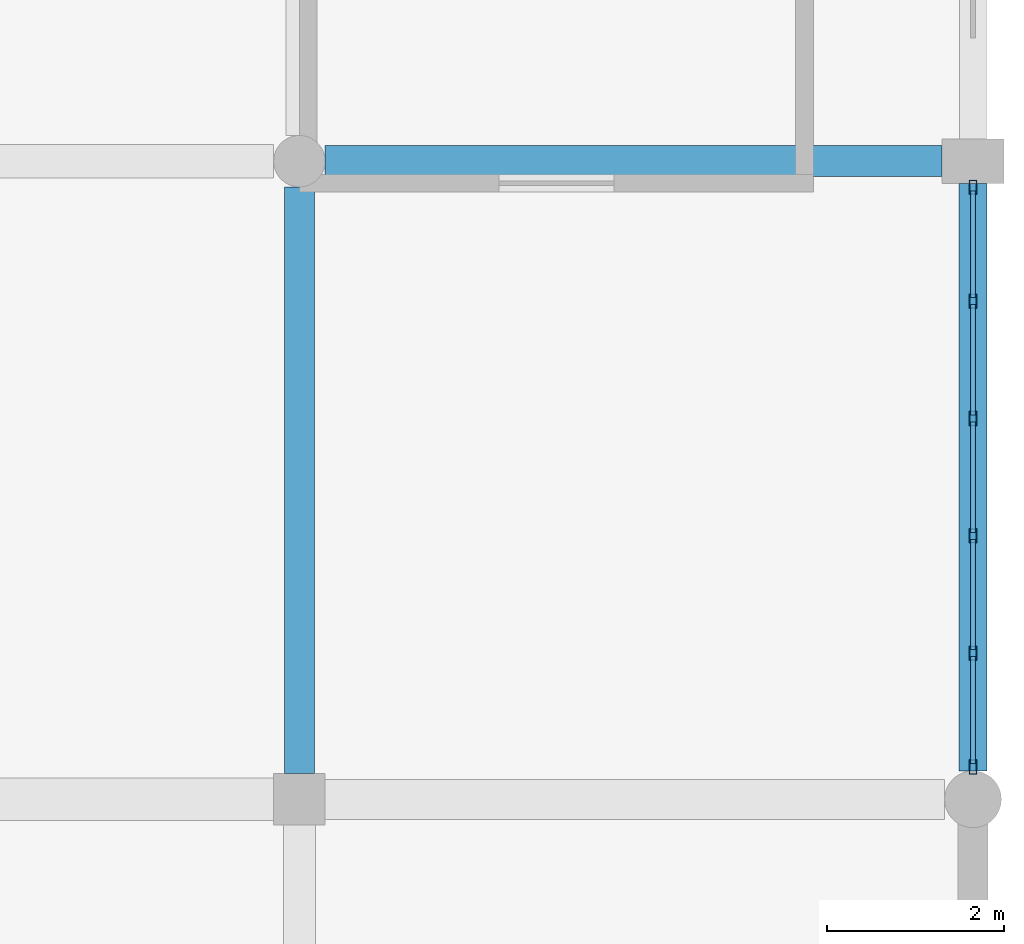
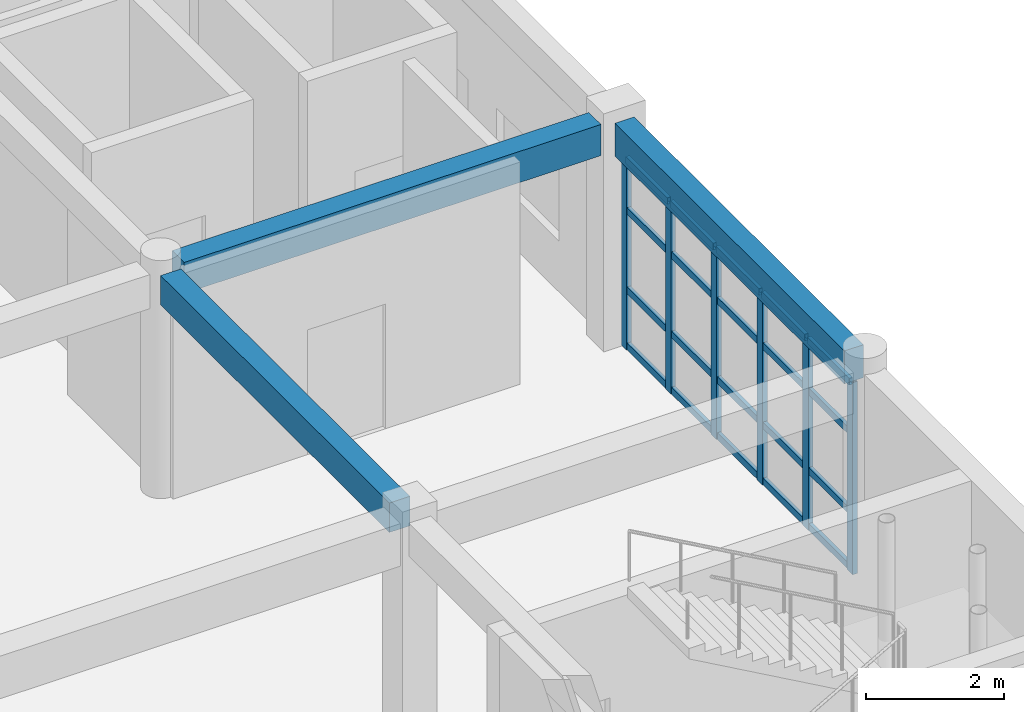
# One storey, part 28 of 53: 26 members, 3 beams, 1 element without a shape of its own.
"""IFC4 building model written with IfcOpenShell, lengths in metres."""

from ifc_helpers import new_model, si_unit, direction, frame, origin, origin_2d, place, context, subcontext, project, spatial, rectangle, hollow_rectangle, extrude, material, material_profile, profile_set, type_object, element, aggregate, save


model = new_model("IFC4")

# Units and contexts
model_context = context("Model", 3, precision=1e-05, world=origin(), true_north=direction((0.0, 1.0)))
body_context = subcontext(model_context, "Body", "Model", "MODEL_VIEW")
ifc_project = project(units=[si_unit("LENGTHUNIT", "METRE"), si_unit("AREAUNIT", "SQUARE_METRE"), si_unit("VOLUMEUNIT", "CUBIC_METRE"), si_unit("PLANEANGLEUNIT", "RADIAN"), si_unit("MASSUNIT", "GRAM", prefix="KILO")], contexts=[model_context])

# Site, building, storey
site_placement = place(None, origin())
site = spatial("IfcSite", under=ifc_project, at=site_placement, CompositionType="ELEMENT")
building_placement = place(site_placement, origin())
building = spatial("IfcBuilding", under=site, at=building_placement, Name="Kharva Crest Polytechnic", CompositionType="ELEMENT")
storey_placement = place(building_placement, frame((0.0, 0.0, 17.39990234375)))
storey = spatial("IfcBuildingStorey", under=building, at=storey_placement, Name="L04", CompositionType="ELEMENT", Elevation=17.39990234375)

# Beams
ifc_material_1 = material(Name="Concrete C35/45", Category="concrete")
ifc_material_profile_1 = material_profile(ifc_material_1, rectangle(XDim=0.340087890625, YDim=0.52001953125, at=origin_2d()), Name="RECT 340 X 520")
ifc_profile_set_1 = profile_set([ifc_material_profile_1], Name="Concrete C35/45")
beam_type_1 = type_object("IfcBeamType", Name="BM-RC-340X520", PredefinedType="BEAM", material=ifc_profile_set_1)
beam_1_placement = place(storey_placement, frame((176.39990234375, 79.090087890625, 3.710205078125), z_axis=(0.0, 1.0, 0.0), x_axis=(-1.0, 0.0, 0.0)))
element("IfcBeam", 1, at=beam_1_placement, inside=storey, type_object=beam_type_1, Name="L04 Girder 23/L-M", PredefinedType="BEAM", context=body_context, shape_type="SweptSolid", body=[
    extrude(rectangle(XDim=0.340087890625, YDim=0.52001953125, at=origin_2d()), origin(), (0.0, 0.0, 1.0), 6.619873046875),
])
ifc_material_profile_2 = material_profile(ifc_material_1, rectangle(XDim=0.35009765625, YDim=0.550048828125, at=origin_2d()), Name="RECT 350 X 550")
ifc_profile_set_2 = profile_set([ifc_material_profile_2], Name="Concrete C35/45")
beam_type_2 = type_object("IfcBeamType", Name="BM-RC-350X550", PredefinedType="BEAM", material=ifc_profile_set_2)
beam_2_placement = place(storey_placement, frame((176.68994140625, 86.0, 3.695068359375), z_axis=(1.0, 0.0, 0.0), x_axis=(0.0, 1.0, 0.0)))
element("IfcBeam", 2, at=beam_2_placement, inside=storey, type_object=beam_type_2, Name="L04 Beam M/23-24", PredefinedType="BEAM", context=body_context, shape_type="SweptSolid", body=[
    extrude(rectangle(XDim=0.35009765625, YDim=0.550048828125, at=origin_2d()), origin(), (0.0, 0.0, 1.0), 6.9599609375),
])

# Curtain wall, members
ifc_material_2 = material(Name="Tempered insulated glass", Category="glass")
curtain_wall_type = type_object("IfcCurtainWallType", Name="CW-SYS-STUDIO", PredefinedType="USERDEFINED", material=ifc_material_2)
curtain_wall_placement = place(storey_placement, origin())
curtain_wall = element("IfcCurtainWall", 3, at=curtain_wall_placement, inside=storey, type_object=curtain_wall_type, Name="L04 Glazed Curtain Wall CW-188", ObjectType="CURTAIN WALL", PredefinedType="USERDEFINED")
ifc_material_3 = material(Name="Steel S355", Category="steel")
ifc_material_profile_3 = material_profile(ifc_material_3, hollow_rectangle(XDim=0.080078125, YDim=0.159912109375, WallThickness=0.0048828125, at=origin_2d()), Name="RHS 160X80X5.0")
ifc_profile_set_3 = profile_set([ifc_material_profile_3], Name="Steel S355")
member_type_1 = type_object("IfcMemberType", Name="CWM-RHS160X80", PredefinedType="MULLION", material=ifc_profile_set_3)
member_1_placement = place(storey_placement, frame((184.0, 79.1650390625, 0.0), z_axis=(0.0, 0.0, 1.0), x_axis=(-1.0, 0.0, 0.0)))
member_1 = element("IfcMember", 4, at=member_1_placement, type_object=member_type_1, Name="CW-188 mullion 1", PredefinedType="MULLION", context=body_context, shape_type="SweptSolid", body=[
    extrude(hollow_rectangle(XDim=0.080078125, YDim=0.159912109375, WallThickness=0.0048828125, at=origin_2d()), origin(), (0.0, 0.0, 1.0), 3.39013671875),
])
member_2_placement = place(storey_placement, frame((184.0, 80.448974609375, 0.0), z_axis=(0.0, 0.0, 1.0), x_axis=(-1.0, 0.0, 0.0)))
member_2 = element("IfcMember", 5, at=member_2_placement, type_object=member_type_1, Name="CW-188 mullion 2", PredefinedType="MULLION", context=body_context, shape_type="SweptSolid", body=[
    extrude(hollow_rectangle(XDim=0.080078125, YDim=0.159912109375, WallThickness=0.0048828125, at=origin_2d()), origin(), (0.0, 0.0, 1.0), 3.39013671875),
])
member_3_placement = place(storey_placement, frame((184.0, 81.77294921875, 0.0), z_axis=(0.0, 0.0, 1.0), x_axis=(-1.0, 0.0, 0.0)))
member_3 = element("IfcMember", 6, at=member_3_placement, type_object=member_type_1, Name="CW-188 mullion 3", PredefinedType="MULLION", context=body_context, shape_type="SweptSolid", body=[
    extrude(hollow_rectangle(XDim=0.080078125, YDim=0.159912109375, WallThickness=0.0048828125, at=origin_2d()), origin(), (0.0, 0.0, 1.0), 3.39013671875),
])
member_4_placement = place(storey_placement, frame((184.0, 83.096923828125, 0.0), z_axis=(0.0, 0.0, 1.0), x_axis=(-1.0, 0.0, 0.0)))
member_4 = element("IfcMember", 7, at=member_4_placement, type_object=member_type_1, Name="CW-188 mullion 4", PredefinedType="MULLION", context=body_context, shape_type="SweptSolid", body=[
    extrude(hollow_rectangle(XDim=0.080078125, YDim=0.159912109375, WallThickness=0.0048828125, at=origin_2d()), origin(), (0.0, 0.0, 1.0), 3.39013671875),
])
member_5_placement = place(storey_placement, frame((184.0, 84.4208984375, 0.0), z_axis=(0.0, 0.0, 1.0), x_axis=(-1.0, 0.0, 0.0)))
member_5 = element("IfcMember", 8, at=member_5_placement, type_object=member_type_1, Name="CW-188 mullion 5", PredefinedType="MULLION", context=body_context, shape_type="SweptSolid", body=[
    extrude(hollow_rectangle(XDim=0.080078125, YDim=0.159912109375, WallThickness=0.0048828125, at=origin_2d()), origin(), (0.0, 0.0, 1.0), 3.39013671875),
])
member_6_placement = place(storey_placement, frame((184.0, 85.705078125, 0.0), z_axis=(0.0, 0.0, 1.0), x_axis=(-1.0, 0.0, 0.0)))
member_6 = element("IfcMember", 9, at=member_6_placement, type_object=member_type_1, Name="CW-188 mullion 6", PredefinedType="MULLION", context=body_context, shape_type="SweptSolid", body=[
    extrude(hollow_rectangle(XDim=0.080078125, YDim=0.159912109375, WallThickness=0.0048828125, at=origin_2d()), origin(), (0.0, 0.0, 1.0), 3.39013671875),
])
ifc_material_profile_4 = material_profile(ifc_material_3, hollow_rectangle(XDim=0.06005859375, YDim=0.1201171875, WallThickness=0.00390625, at=origin_2d()), Name="RHS 120X60X4.0")
ifc_profile_set_4 = profile_set([ifc_material_profile_4], Name="Steel S355")
member_type_2 = type_object("IfcMemberType", Name="CWT-RHS120X60", PredefinedType="USERDEFINED", material=ifc_profile_set_4)
member_7_placement = place(storey_placement, frame((184.0, 79.205078125, 0.06005859375), z_axis=(0.0, 1.0, 0.0), x_axis=(-1.0, 0.0, 0.0)))
member_7 = element("IfcMember", 10, at=member_7_placement, type_object=member_type_2, Name="CW-188 transom 1.1", ObjectType="TRANSOM", PredefinedType="USERDEFINED", context=body_context, shape_type="SweptSolid", body=[
    extrude(hollow_rectangle(XDim=0.06005859375, YDim=0.1201171875, WallThickness=0.00390625, at=origin_2d()), origin(), (0.0, 0.0, 1.0), 1.203857421875),
])
member_8_placement = place(storey_placement, frame((184.0, 79.205078125, 1.050048828125), z_axis=(0.0, 1.0, 0.0), x_axis=(-1.0, 0.0, 0.0)))
member_8 = element("IfcMember", 11, at=member_8_placement, type_object=member_type_2, Name="CW-188 transom 1.2", ObjectType="TRANSOM", PredefinedType="USERDEFINED", context=body_context, shape_type="SweptSolid", body=[
    extrude(hollow_rectangle(XDim=0.06005859375, YDim=0.1201171875, WallThickness=0.00390625, at=origin_2d()), origin(), (0.0, 0.0, 1.0), 1.203857421875),
])
member_9_placement = place(storey_placement, frame((184.0, 79.205078125, 2.4501953125), z_axis=(0.0, 1.0, 0.0), x_axis=(-1.0, 0.0, 0.0)))
member_9 = element("IfcMember", 12, at=member_9_placement, type_object=member_type_2, Name="CW-188 transom 1.3", ObjectType="TRANSOM", PredefinedType="USERDEFINED", context=body_context, shape_type="SweptSolid", body=[
    extrude(hollow_rectangle(XDim=0.06005859375, YDim=0.1201171875, WallThickness=0.00390625, at=origin_2d()), origin(), (0.0, 0.0, 1.0), 1.203857421875),
])
member_10_placement = place(storey_placement, frame((184.0, 79.205078125, 3.330078125), z_axis=(0.0, 1.0, 0.0), x_axis=(-1.0, 0.0, 0.0)))
member_10 = element("IfcMember", 13, at=member_10_placement, type_object=member_type_2, Name="CW-188 transom 1.4", ObjectType="TRANSOM", PredefinedType="USERDEFINED", context=body_context, shape_type="SweptSolid", body=[
    extrude(hollow_rectangle(XDim=0.06005859375, YDim=0.1201171875, WallThickness=0.00390625, at=origin_2d()), origin(), (0.0, 0.0, 1.0), 1.203857421875),
])
member_11_placement = place(storey_placement, frame((184.0, 80.489013671875, 0.06005859375), z_axis=(0.0, 1.0, 0.0), x_axis=(-1.0, 0.0, 0.0)))
member_11 = element("IfcMember", 14, at=member_11_placement, type_object=member_type_2, Name="CW-188 transom 2.1", ObjectType="TRANSOM", PredefinedType="USERDEFINED", context=body_context, shape_type="SweptSolid", body=[
    extrude(hollow_rectangle(XDim=0.06005859375, YDim=0.1201171875, WallThickness=0.00390625, at=origin_2d()), origin(), (0.0, 0.0, 1.0), 1.243896484375),
])
member_12_placement = place(storey_placement, frame((184.0, 80.489013671875, 1.050048828125), z_axis=(0.0, 1.0, 0.0), x_axis=(-1.0, 0.0, 0.0)))
member_12 = element("IfcMember", 15, at=member_12_placement, type_object=member_type_2, Name="CW-188 transom 2.2", ObjectType="TRANSOM", PredefinedType="USERDEFINED", context=body_context, shape_type="SweptSolid", body=[
    extrude(hollow_rectangle(XDim=0.06005859375, YDim=0.1201171875, WallThickness=0.00390625, at=origin_2d()), origin(), (0.0, 0.0, 1.0), 1.243896484375),
])
member_13_placement = place(storey_placement, frame((184.0, 80.489013671875, 2.4501953125), z_axis=(0.0, 1.0, 0.0), x_axis=(-1.0, 0.0, 0.0)))
member_13 = element("IfcMember", 16, at=member_13_placement, type_object=member_type_2, Name="CW-188 transom 2.3", ObjectType="TRANSOM", PredefinedType="USERDEFINED", context=body_context, shape_type="SweptSolid", body=[
    extrude(hollow_rectangle(XDim=0.06005859375, YDim=0.1201171875, WallThickness=0.00390625, at=origin_2d()), origin(), (0.0, 0.0, 1.0), 1.243896484375),
])
member_14_placement = place(storey_placement, frame((184.0, 80.489013671875, 3.330078125), z_axis=(0.0, 1.0, 0.0), x_axis=(-1.0, 0.0, 0.0)))
member_14 = element("IfcMember", 17, at=member_14_placement, type_object=member_type_2, Name="CW-188 transom 2.4", ObjectType="TRANSOM", PredefinedType="USERDEFINED", context=body_context, shape_type="SweptSolid", body=[
    extrude(hollow_rectangle(XDim=0.06005859375, YDim=0.1201171875, WallThickness=0.00390625, at=origin_2d()), origin(), (0.0, 0.0, 1.0), 1.243896484375),
])
member_15_placement = place(storey_placement, frame((184.0, 81.81298828125, 0.06005859375), z_axis=(0.0, 1.0, 0.0), x_axis=(-1.0, 0.0, 0.0)))
member_15 = element("IfcMember", 18, at=member_15_placement, type_object=member_type_2, Name="CW-188 transom 3.1", ObjectType="TRANSOM", PredefinedType="USERDEFINED", context=body_context, shape_type="SweptSolid", body=[
    extrude(hollow_rectangle(XDim=0.06005859375, YDim=0.1201171875, WallThickness=0.00390625, at=origin_2d()), origin(), (0.0, 0.0, 1.0), 1.243896484375),
])
member_16_placement = place(storey_placement, frame((184.0, 81.81298828125, 1.050048828125), z_axis=(0.0, 1.0, 0.0), x_axis=(-1.0, 0.0, 0.0)))
member_16 = element("IfcMember", 19, at=member_16_placement, type_object=member_type_2, Name="CW-188 transom 3.2", ObjectType="TRANSOM", PredefinedType="USERDEFINED", context=body_context, shape_type="SweptSolid", body=[
    extrude(hollow_rectangle(XDim=0.06005859375, YDim=0.1201171875, WallThickness=0.00390625, at=origin_2d()), origin(), (0.0, 0.0, 1.0), 1.243896484375),
])
member_17_placement = place(storey_placement, frame((184.0, 81.81298828125, 2.4501953125), z_axis=(0.0, 1.0, 0.0), x_axis=(-1.0, 0.0, 0.0)))
member_17 = element("IfcMember", 20, at=member_17_placement, type_object=member_type_2, Name="CW-188 transom 3.3", ObjectType="TRANSOM", PredefinedType="USERDEFINED", context=body_context, shape_type="SweptSolid", body=[
    extrude(hollow_rectangle(XDim=0.06005859375, YDim=0.1201171875, WallThickness=0.00390625, at=origin_2d()), origin(), (0.0, 0.0, 1.0), 1.243896484375),
])
member_18_placement = place(storey_placement, frame((184.0, 81.81298828125, 3.330078125), z_axis=(0.0, 1.0, 0.0), x_axis=(-1.0, 0.0, 0.0)))
member_18 = element("IfcMember", 21, at=member_18_placement, type_object=member_type_2, Name="CW-188 transom 3.4", ObjectType="TRANSOM", PredefinedType="USERDEFINED", context=body_context, shape_type="SweptSolid", body=[
    extrude(hollow_rectangle(XDim=0.06005859375, YDim=0.1201171875, WallThickness=0.00390625, at=origin_2d()), origin(), (0.0, 0.0, 1.0), 1.243896484375),
])
member_19_placement = place(storey_placement, frame((184.0, 83.136962890625, 0.06005859375), z_axis=(0.0, 1.0, 0.0), x_axis=(-1.0, 0.0, 0.0)))
member_19 = element("IfcMember", 22, at=member_19_placement, type_object=member_type_2, Name="CW-188 transom 4.1", ObjectType="TRANSOM", PredefinedType="USERDEFINED", context=body_context, shape_type="SweptSolid", body=[
    extrude(hollow_rectangle(XDim=0.06005859375, YDim=0.1201171875, WallThickness=0.00390625, at=origin_2d()), origin(), (0.0, 0.0, 1.0), 1.244140625),
])
member_20_placement = place(storey_placement, frame((184.0, 83.136962890625, 1.050048828125), z_axis=(0.0, 1.0, 0.0), x_axis=(-1.0, 0.0, 0.0)))
member_20 = element("IfcMember", 23, at=member_20_placement, type_object=member_type_2, Name="CW-188 transom 4.2", ObjectType="TRANSOM", PredefinedType="USERDEFINED", context=body_context, shape_type="SweptSolid", body=[
    extrude(hollow_rectangle(XDim=0.06005859375, YDim=0.1201171875, WallThickness=0.00390625, at=origin_2d()), origin(), (0.0, 0.0, 1.0), 1.244140625),
])
member_21_placement = place(storey_placement, frame((184.0, 83.136962890625, 2.4501953125), z_axis=(0.0, 1.0, 0.0), x_axis=(-1.0, 0.0, 0.0)))
member_21 = element("IfcMember", 24, at=member_21_placement, type_object=member_type_2, Name="CW-188 transom 4.3", ObjectType="TRANSOM", PredefinedType="USERDEFINED", context=body_context, shape_type="SweptSolid", body=[
    extrude(hollow_rectangle(XDim=0.06005859375, YDim=0.1201171875, WallThickness=0.00390625, at=origin_2d()), origin(), (0.0, 0.0, 1.0), 1.244140625),
])
member_22_placement = place(storey_placement, frame((184.0, 83.136962890625, 3.330078125), z_axis=(0.0, 1.0, 0.0), x_axis=(-1.0, 0.0, 0.0)))
member_22 = element("IfcMember", 25, at=member_22_placement, type_object=member_type_2, Name="CW-188 transom 4.4", ObjectType="TRANSOM", PredefinedType="USERDEFINED", context=body_context, shape_type="SweptSolid", body=[
    extrude(hollow_rectangle(XDim=0.06005859375, YDim=0.1201171875, WallThickness=0.00390625, at=origin_2d()), origin(), (0.0, 0.0, 1.0), 1.244140625),
])
member_23_placement = place(storey_placement, frame((184.0, 84.4609375, 0.06005859375), z_axis=(0.0, 1.0, 0.0), x_axis=(-1.0, 0.0, 0.0)))
member_23 = element("IfcMember", 26, at=member_23_placement, type_object=member_type_2, Name="CW-188 transom 5.1", ObjectType="TRANSOM", PredefinedType="USERDEFINED", context=body_context, shape_type="SweptSolid", body=[
    extrude(hollow_rectangle(XDim=0.06005859375, YDim=0.1201171875, WallThickness=0.00390625, at=origin_2d()), origin(), (0.0, 0.0, 1.0), 1.2041015625),
])
member_24_placement = place(storey_placement, frame((184.0, 84.4609375, 1.050048828125), z_axis=(0.0, 1.0, 0.0), x_axis=(-1.0, 0.0, 0.0)))
member_24 = element("IfcMember", 27, at=member_24_placement, type_object=member_type_2, Name="CW-188 transom 5.2", ObjectType="TRANSOM", PredefinedType="USERDEFINED", context=body_context, shape_type="SweptSolid", body=[
    extrude(hollow_rectangle(XDim=0.06005859375, YDim=0.1201171875, WallThickness=0.00390625, at=origin_2d()), origin(), (0.0, 0.0, 1.0), 1.2041015625),
])
member_25_placement = place(storey_placement, frame((184.0, 84.4609375, 2.4501953125), z_axis=(0.0, 1.0, 0.0), x_axis=(-1.0, 0.0, 0.0)))
member_25 = element("IfcMember", 28, at=member_25_placement, type_object=member_type_2, Name="CW-188 transom 5.3", ObjectType="TRANSOM", PredefinedType="USERDEFINED", context=body_context, shape_type="SweptSolid", body=[
    extrude(hollow_rectangle(XDim=0.06005859375, YDim=0.1201171875, WallThickness=0.00390625, at=origin_2d()), origin(), (0.0, 0.0, 1.0), 1.2041015625),
])
member_26_placement = place(storey_placement, frame((184.0, 84.4609375, 3.330078125), z_axis=(0.0, 1.0, 0.0), x_axis=(-1.0, 0.0, 0.0)))
member_26 = element("IfcMember", 29, at=member_26_placement, type_object=member_type_2, Name="CW-188 transom 5.4", ObjectType="TRANSOM", PredefinedType="USERDEFINED", context=body_context, shape_type="SweptSolid", body=[
    extrude(hollow_rectangle(XDim=0.06005859375, YDim=0.1201171875, WallThickness=0.00390625, at=origin_2d()), origin(), (0.0, 0.0, 1.0), 1.2041015625),
])
aggregate(curtain_wall, [member_1, member_2, member_3, member_4, member_5, member_6, member_7, member_8, member_9, member_10, member_11, member_12, member_13, member_14, member_15, member_16, member_17, member_18, member_19, member_20, member_21, member_22, member_23, member_24, member_25, member_26])

# Beam
ifc_material_profile_5 = material_profile(ifc_material_1, rectangle(XDim=0.320068359375, YDim=0.580078125, at=origin_2d()), Name="RECT 320 X 580")
ifc_profile_set_5 = profile_set([ifc_material_profile_5], Name="Concrete C35/45")
beam_type_3 = type_object("IfcBeamType", Name="SP-RC-320X580", PredefinedType="SPANDREL", material=ifc_profile_set_5)
beam_3_placement = place(storey_placement, frame((184.0, 79.1201171875, 3.68017578125), z_axis=(0.0, 1.0, 0.0), x_axis=(-1.0, 0.0, 0.0)))
element("IfcBeam", 30, at=beam_3_placement, inside=storey, type_object=beam_type_3, Name="L04 Girder 24/L-M", PredefinedType="SPANDREL", context=body_context, shape_type="SweptSolid", body=[
    extrude(rectangle(XDim=0.320068359375, YDim=0.580078125, at=origin_2d()), origin(), (0.0, 0.0, 1.0), 6.6298828125),
])

save(model, "model.ifc")
